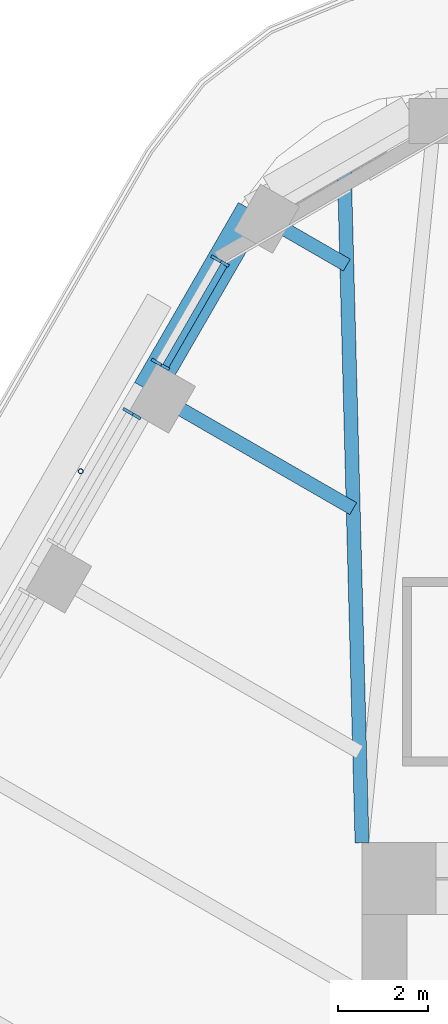
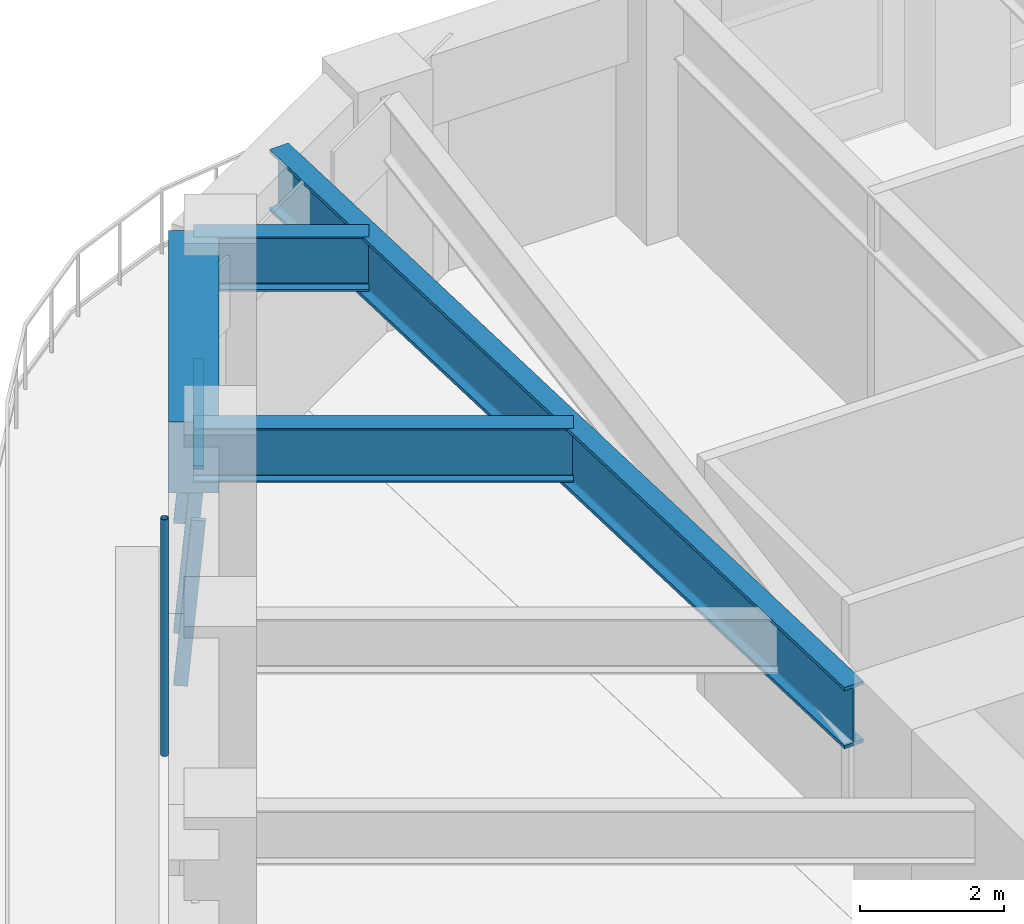
# One storey, part 8 of 20: 5 members, 4 beams, 2 elements without a shape of their own.
"""IFC4 building model written with IfcOpenShell, lengths in metres."""

from ifc_helpers import new_model, si_unit, direction, frame, origin, origin_2d, place, context, subcontext, project, spatial, rectangle, hollow_circle, i_section, extrude, material, material_profile, profile_set, type_object, element, aggregate, save


model = new_model("IFC4")

# Units and contexts
model_context = context("Model", 3, precision=1e-05, world=origin(), true_north=direction((0.0, 1.0)))
body_context = subcontext(model_context, "Body", "Model", "MODEL_VIEW")
ifc_project = project(units=[si_unit("LENGTHUNIT", "METRE"), si_unit("AREAUNIT", "SQUARE_METRE"), si_unit("VOLUMEUNIT", "CUBIC_METRE"), si_unit("PLANEANGLEUNIT", "RADIAN"), si_unit("MASSUNIT", "GRAM", prefix="KILO")], contexts=[model_context])

# Site, building, storey
site_placement = place(None, origin())
site = spatial("IfcSite", under=ifc_project, at=site_placement, CompositionType="ELEMENT")
building_placement = place(site_placement, origin())
building = spatial("IfcBuilding", under=site, at=building_placement, Name="Tarfa Lantern Tower", CompositionType="ELEMENT")
storey_placement = place(building_placement, frame((0.0, 0.0, 274.300048828125)))
storey = spatial("IfcBuildingStorey", under=building, at=storey_placement, Name="L62", CompositionType="ELEMENT", Elevation=274.300048828125)

# Curtain wall, members
ifc_material_1 = material(Name="Aluminium framed curtain wall", Category="aluminium")
curtain_wall_type = type_object("IfcCurtainWallType", Name="CW3 CANTED GLAZING HIGH ZONE 2800", PredefinedType="USERDEFINED", material=ifc_material_1)
curtain_wall_1_placement = place(storey_placement, origin())
curtain_wall_1 = element("IfcCurtainWall", 1, at=curtain_wall_1_placement, inside=storey, type_object=curtain_wall_type, Name="CW3 NW L62", ObjectType="CURTAIN WALL", PredefinedType="USERDEFINED")
ifc_material_2 = material(Name="Aluminium mullion", Category="aluminium")
ifc_material_profile_1 = material_profile(ifc_material_2, rectangle(XDim=0.06494140625, YDim=0.199951171875, at=origin_2d()), Name="AL MULLION 65x200")
ifc_profile_set_1 = profile_set([ifc_material_profile_1], Name="Aluminium mullion")
member_type_1 = type_object("IfcMemberType", Name="CWM1 MULLION 65x200", PredefinedType="MULLION", material=ifc_profile_set_1)
member_1_placement = place(storey_placement, frame((-18.76611328125, 25.296142578125, 0.0), z_axis=(0.077032386753, -0.044465143199, 0.996036576854), x_axis=(0.499919672301, 0.866071776036, 0.0)))
member_1 = element("IfcMember", 2, at=member_1_placement, type_object=member_type_1, Name="CW3 mullion 1", PredefinedType="MULLION", context=body_context, shape_type="SweptSolid", body=[
    extrude(rectangle(XDim=0.06494140625, YDim=0.199951171875, at=origin_2d()), origin(), (0.0, 0.0, 1.0), 2.811279296875),
])
member_2_placement = place(storey_placement, frame((-20.093017578125, 22.997802734375, 0.0), z_axis=(0.077032386753, -0.044465143199, 0.996036576854), x_axis=(0.499919672301, 0.866071776036, 0.0)))
member_2 = element("IfcMember", 3, at=member_2_placement, type_object=member_type_1, Name="CW3 mullion 2", PredefinedType="MULLION", context=body_context, shape_type="SweptSolid", body=[
    extrude(rectangle(XDim=0.06494140625, YDim=0.199951171875, at=origin_2d()), origin(), (0.0, 0.0, 1.0), 2.811279296875),
])

# Curtain wall, member
curtain_wall_2_placement = place(storey_placement, origin())
curtain_wall_2 = element("IfcCurtainWall", 4, at=curtain_wall_2_placement, inside=storey, type_object=curtain_wall_type, Name="CW3 NW L62", ObjectType="CURTAIN WALL", PredefinedType="USERDEFINED")
member_3_placement = place(storey_placement, frame((-20.7255859375, 21.90234375, 0.0), z_axis=(0.077032386753, -0.044465143199, 0.996036576854), x_axis=(0.499919672301, 0.866071776036, 0.0)))
member_3 = element("IfcMember", 5, at=member_3_placement, type_object=member_type_1, Name="CW3 mullion 1", PredefinedType="MULLION", context=body_context, shape_type="SweptSolid", body=[
    extrude(rectangle(XDim=0.06494140625, YDim=0.199951171875, at=origin_2d()), origin(), (0.0, 0.0, 1.0), 2.811279296875),
])
aggregate(curtain_wall_2, [member_3])

# Member
ifc_material_3 = material(Name="Aluminium transom", Category="aluminium")
ifc_material_profile_2 = material_profile(ifc_material_3, rectangle(XDim=0.14990234375, YDim=0.06494140625, at=origin_2d()), Name="AL TRANSOM 150x65")
ifc_profile_set_2 = profile_set([ifc_material_profile_2], Name="Aluminium transom")
member_type_2 = type_object("IfcMemberType", Name="CWT1 TRANSOM 150x65", PredefinedType="USERDEFINED", material=ifc_profile_set_2)
member_4_placement = place(storey_placement, frame((-18.568359375, 25.144287109375, 2.767333984375), z_axis=(-0.5000136139, -0.866017543653, 0.0), x_axis=(0.866017543653, -0.5000136139, 0.0)))
member_4 = element("IfcMember", 6, at=member_4_placement, type_object=member_type_2, Name="CW3 transom 1.2", ObjectType="TRANSOM", PredefinedType="USERDEFINED", context=body_context, shape_type="SweptSolid", body=[
    extrude(rectangle(XDim=0.14990234375, YDim=0.06494140625, at=origin_2d()), origin(), (0.0, 0.0, 1.0), 2.5888671875),
])

aggregate(curtain_wall_1, [member_1, member_2, member_4])

# Beam
ifc_material_4 = material(Name="Concrete C80/95", Category="concrete")
ifc_material_profile_3 = material_profile(ifc_material_4, rectangle(XDim=0.699951171875, YDim=1.199951171875, at=origin_2d()), Name="RC 700x1200")
ifc_profile_set_3 = profile_set([ifc_material_profile_3], Name="Concrete C80/95")
beam_type_1 = type_object("IfcBeamType", Name="EB3 RC 700x1200", PredefinedType="SPANDREL", material=ifc_profile_set_3)
beam_1_placement = place(storey_placement, frame((-17.944091796875, 26.360107421875, 3.39990234375), z_axis=(-0.499987836815, -0.866032426089, 0.0), x_axis=(0.866032426089, -0.499987836815, 0.0)))
element("IfcBeam", 7, at=beam_1_placement, inside=storey, type_object=beam_type_1, Name="Edge beam NW0", PredefinedType="SPANDREL", context=body_context, shape_type="SweptSolid", body=[
    extrude(rectangle(XDim=0.699951171875, YDim=1.199951171875, at=origin_2d()), origin(), (0.0, 0.0, 1.0), 4.61865234375),
])

# Member
ifc_material_5 = material(Name="Steel S355", Category="steel")
ifc_material_profile_4 = material_profile(ifc_material_5, hollow_circle(Radius=0.05712890625, WallThickness=0.00634765625, at=origin_2d()), Name="CHS114.3x6.3")
ifc_profile_set_4 = profile_set([ifc_material_profile_4], Name="Steel S355")
member_type_3 = type_object("IfcMemberType", Name="TR1 GREEN WALL TRELLIS CHS114.3x6.3", PredefinedType="USERDEFINED", material=ifc_profile_set_4)
member_5_placement = place(storey_placement, frame((-21.754638671875, 20.56005859375, 0.0), z_axis=(0.0, 0.0, 1.0), x_axis=(1.0, 0.0, 0.0)))
element("IfcMember", 8, at=member_5_placement, inside=storey, type_object=member_type_3, Name="Trellis post NW 1", ObjectType="TRELLIS", PredefinedType="USERDEFINED", context=body_context, shape_type="SweptSolid", body=[
    extrude(hollow_circle(Radius=0.05712890625, WallThickness=0.00634765625, at=origin_2d()), origin(), (0.0, 0.0, 1.0), 4.0),
])

# Beams
ifc_material_6 = material(Name="Steel S460M", Category="steel")
ifc_material_profile_5 = material_profile(ifc_material_6, i_section(OverallWidth=0.30859375, OverallDepth=1.036376953125, WebThickness=0.030029296875, FlangeThickness=0.05419921875, FilletRadius=0.030029296875, at=origin_2d()), Name="UB1016x305x487")
ifc_profile_set_5 = profile_set([ifc_material_profile_5], Name="Steel S460M")
beam_type_2 = type_object("IfcBeamType", Name="UB1016x305x487", PredefinedType="BEAM", material=ifc_profile_set_5)
beam_2_placement = place(storey_placement, frame((-15.5, 12.300048828125, 3.481689453125), z_axis=(-0.026247301989, 0.999655480222, 0.0), x_axis=(-0.999655480222, -0.026247301989, 0.0)))
element("IfcBeam", 9, at=beam_2_placement, inside=storey, type_object=beam_type_2, Name="Hip girder NW", PredefinedType="BEAM", context=body_context, shape_type="SweptSolid", body=[
    extrude(i_section(OverallWidth=0.30859375, OverallDepth=1.036376953125, WebThickness=0.030029296875, FlangeThickness=0.05419921875, FilletRadius=0.030029296875, at=origin_2d()), origin(), (0.0, 0.0, 1.0), 15.245361328125),
])
ifc_material_profile_6 = material_profile(ifc_material_6, i_section(OverallWidth=0.305419921875, OverallDepth=0.91845703125, WebThickness=0.017333984375, FlangeThickness=0.02783203125, FilletRadius=0.01904296875, at=origin_2d()), Name="UB914x305x253")
ifc_profile_set_6 = profile_set([ifc_material_profile_6], Name="Steel S460M")
beam_type_3 = type_object("IfcBeamType", Name="UB914x305x253", PredefinedType="BEAM", material=ifc_profile_set_6)
beam_3_placement = place(storey_placement, frame((-17.944091796875, 26.360107421875, 3.540771484375), z_axis=(0.865980009423, -0.5000786171, 0.0), x_axis=(0.5000786171, 0.865980009423, 0.0)))
element("IfcBeam", 10, at=beam_3_placement, inside=storey, type_object=beam_type_3, Name="Floor beam NW0", PredefinedType="BEAM", context=body_context, shape_type="SweptSolid", body=[
    extrude(i_section(OverallWidth=0.305419921875, OverallDepth=0.91845703125, WebThickness=0.017333984375, FlangeThickness=0.02783203125, FilletRadius=0.01904296875, at=origin_2d()), origin(), (0.0, 0.0, 1.0), 2.4326171875),
])
beam_4_placement = place(storey_placement, frame((-20.25341796875, 22.360107421875, 3.540771484375), z_axis=(0.86601951648, -0.500010196972, 0.0), x_axis=(0.500010196972, 0.86601951648, 0.0)))
element("IfcBeam", 11, at=beam_4_placement, inside=storey, type_object=beam_type_3, Name="Floor beam NW1", PredefinedType="BEAM", context=body_context, shape_type="SweptSolid", body=[
    extrude(i_section(OverallWidth=0.305419921875, OverallDepth=0.91845703125, WebThickness=0.017333984375, FlangeThickness=0.02783203125, FilletRadius=0.01904296875, at=origin_2d()), origin(), (0.0, 0.0, 1.0), 5.263671875),
])

save(model, "model.ifc")
